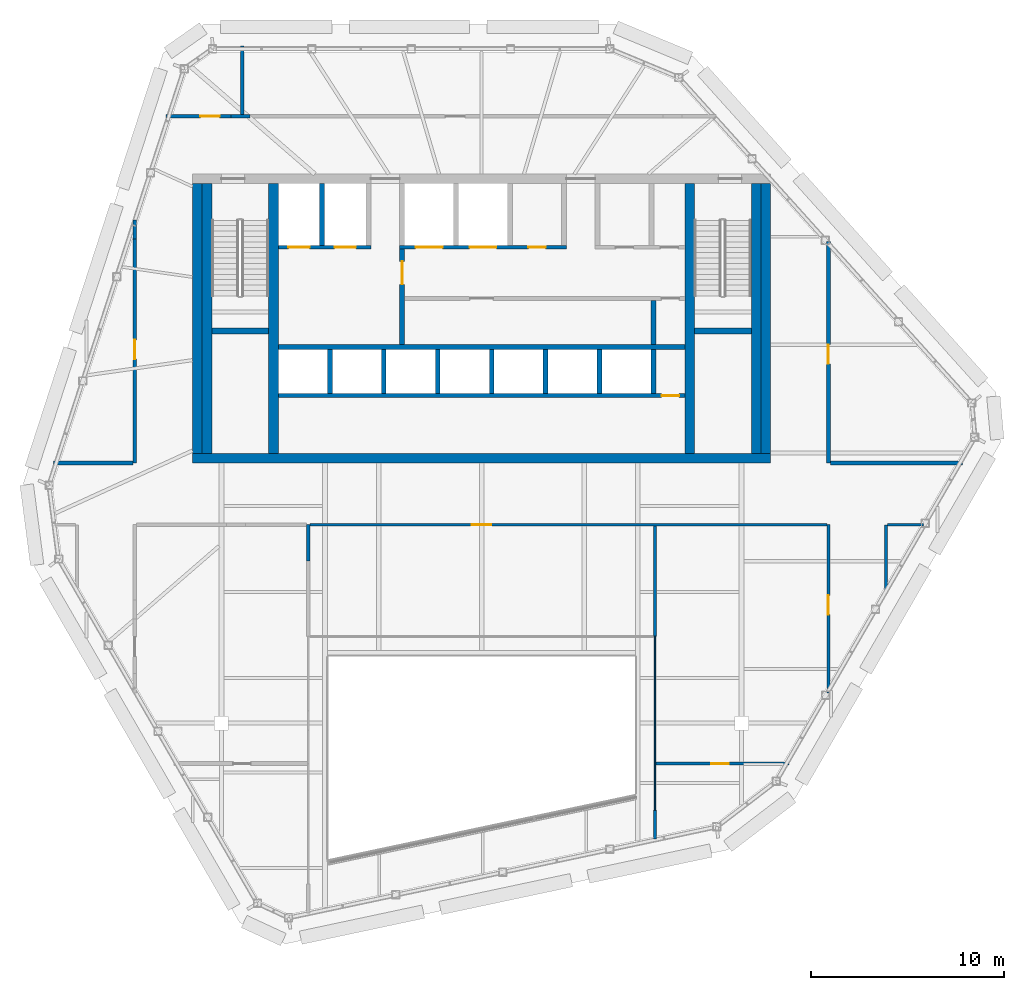
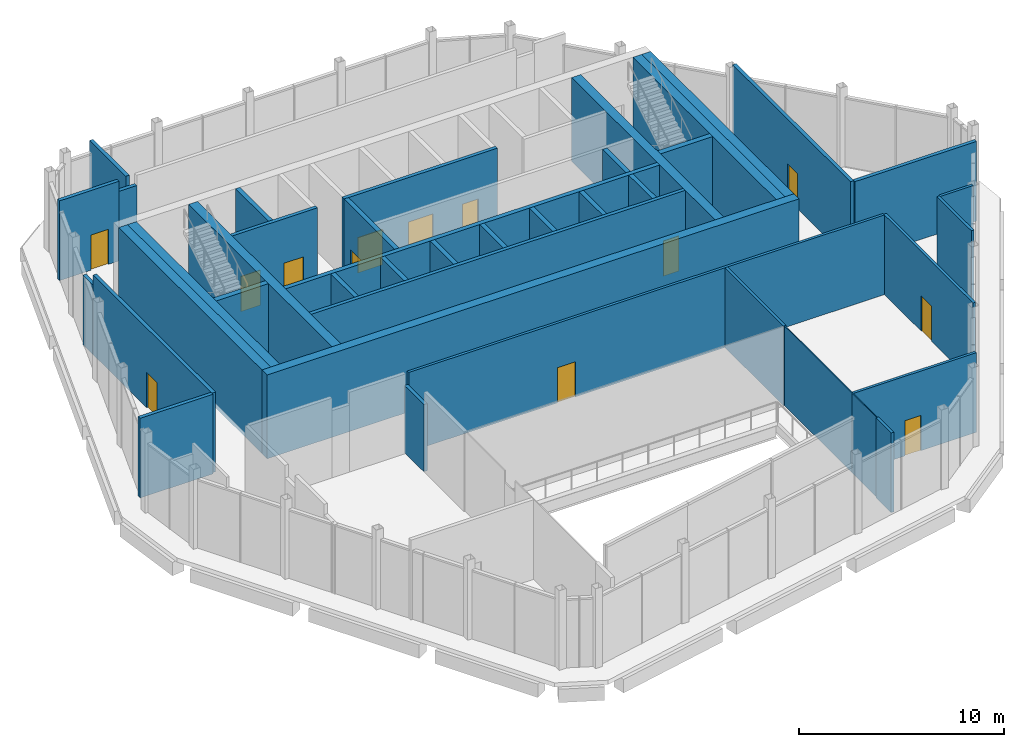
# One storey, part 9 of 12: 41 walls, 13 doors, 13 openings.
"""IFC4 building model written with IfcOpenShell, lengths in metres."""

from ifc_helpers import new_model, si_unit, direction, frame, frame_2d, origin, place, context, subcontext, project, spatial, rectangle, extrude, material, layer, layer_set, type_object, element, fill, save


model = new_model("IFC4")

# Units and contexts
model_context = context("Model", 3, precision=1e-05, world=origin(), true_north=direction((0.0, 1.0)))
body_context = subcontext(model_context, "Body", "Model", "MODEL_VIEW")
ifc_project = project(units=[si_unit("LENGTHUNIT", "METRE"), si_unit("AREAUNIT", "SQUARE_METRE"), si_unit("VOLUMEUNIT", "CUBIC_METRE"), si_unit("PLANEANGLEUNIT", "RADIAN"), si_unit("MASSUNIT", "GRAM", prefix="KILO")], contexts=[model_context])

# Site, building, storey
site_placement = place(None, origin())
site = spatial("IfcSite", under=ifc_project, at=site_placement, CompositionType="ELEMENT")
building_placement = place(site_placement, origin())
building = spatial("IfcBuilding", under=site, at=building_placement, Name="Isthmus Gate Tower", CompositionType="ELEMENT")
storey_placement = place(building_placement, frame((0.0, 0.0, 301.10009765625)))
storey = spatial("IfcBuildingStorey", under=building, at=storey_placement, Name="C1", CompositionType="ELEMENT", Elevation=301.10009765625)

# Wall, opening, door
ifc_material_1 = material(Name="Fire-rated blockwork masonry, 15 MPa", Category="masonry")
ifc_layer_1 = layer(ifc_material_1, 0.25)
ifc_layer_set_1 = layer_set([ifc_layer_1], Name="FIRE-FIGHTING LOBBY WALL 250 90 MIN")
wall_type_1 = type_object("IfcWallType", Name="FIRE-FIGHTING LOBBY WALL 250 90 MIN", PredefinedType="PARTITIONING", material=ifc_layer_set_1)
wall_1_placement = place(storey_placement, frame((-4.125, 6.14990234375, 0.0), z_axis=(0.0, 0.0, 1.0), x_axis=(0.0, 1.0, 0.0)))
wall_1 = element("IfcWall", 1, at=wall_1_placement, inside=storey, type_object=wall_type_1, Name="C1 FIRE-FIGHTING LOBBY WALL 250 90 MIN", PredefinedType="PARTITIONING", context=body_context, shape_type="SweptSolid", body=[
    extrude(rectangle(XDim=4.9501953125, YDim=0.25, at=frame_2d((2.47509765625, 0.0))), origin(), (0.0, 0.0, 1.0), 4.75),
])
opening_1_placement = place(wall_1_placement, frame((3.125, 0.0, 0.0)))
opening_1 = element("IfcOpeningElement", 2, at=opening_1_placement, cuts=wall_1, Name="Opening DC-A22-01", PredefinedType="OPENING", context=body_context, shape_type="SweptSolid", body=[
    extrude(rectangle(XDim=1.199951171875, YDim=2.10009765625, at=frame_2d((0.60009765625, 1.050048828125))), frame((0.0, 0.135009765625, 0.0), z_axis=(0.0, -1.0, 0.0), x_axis=(1.0, 0.0, 0.0)), (0.0, 0.0, 1.0), 0.27001953125),
])
ifc_material_2 = material(Name="Steel door leaf, fire-rated", Category="steel")
door_type_1 = type_object("IfcDoorType", Name="LOBBY FIRE DOOR 1200 X 2100 90 MIN", OperationType="DOUBLE_DOOR_SINGLE_SWING", PredefinedType="DOOR", material=ifc_material_2)
door_1_placement = place(opening_1_placement, origin())
door_1 = element("IfcDoor", 3, at=door_1_placement, inside=storey, type_object=door_type_1, Name="Fire-fighting Lobby Door", OperationType="SINGLE_SWING_LEFT", OverallHeight=2.10009765625, OverallWidth=1.199951171875, PredefinedType="DOOR", context=body_context, shape_type="SweptSolid", body=[
    extrude(rectangle(XDim=1.199951171875, YDim=2.10009765625, at=frame_2d((0.60009765625, 1.050048828125))), frame((0.0, 0.02490234375, 0.0), z_axis=(0.0, -1.0, 0.0), x_axis=(1.0, 0.0, 0.0)), (0.0, 0.0, 1.0), 0.050048828125),
])
fill(opening_1, door_1)

# Walls
ifc_material_3 = material(Name="Concrete f'c 30 MPa", Category="concrete")
ifc_layer_2 = layer(ifc_material_3, 0.199951171875)
ifc_layer_set_2 = layer_set([ifc_layer_2], Name="Fire-rated block wall 200")
wall_type_2 = type_object("IfcWallType", Name="Fire-rated block wall 200", PredefinedType="PARTITIONING", material=ifc_layer_set_2)
wall_2_placement = place(storey_placement, frame((-22.21630859375, 0.0, 0.0), z_axis=(0.0, 0.0, 1.0), x_axis=(1.0, 0.0, 0.0)))
element("IfcWall", 4, at=wall_2_placement, inside=storey, type_object=wall_type_2, Name="Fire-rated wall", PredefinedType="PARTITIONING", context=body_context, shape_type="SweptSolid", body=[
    extrude(rectangle(XDim=4.1162109375, YDim=0.199951171875, at=frame_2d((2.05810546875, 0.0))), origin(), (0.0, 0.0, 1.0), 4.75),
])
wall_3_placement = place(storey_placement, frame((18.10009765625, 0.0, 0.0), z_axis=(0.0, 0.0, 1.0), x_axis=(1.0, 0.0, 0.0)))
element("IfcWall", 5, at=wall_3_placement, inside=storey, type_object=wall_type_2, Name="Fire-rated wall", PredefinedType="PARTITIONING", context=body_context, shape_type="SweptSolid", body=[
    extrude(rectangle(XDim=6.861328125, YDim=0.199951171875, at=frame_2d((3.4306640625, 0.0))), origin(), (0.0, 0.0, 1.0), 4.75),
])

# Wall, opening, door
wall_4_placement = place(storey_placement, frame((-16.367919921875, 18.0, 0.0), z_axis=(0.0, 0.0, 1.0), x_axis=(1.0, 0.0, 0.0)))
wall_4 = element("IfcWall", 6, at=wall_4_placement, inside=storey, type_object=wall_type_2, Name="Fire-rated wall", PredefinedType="PARTITIONING", context=body_context, shape_type="SweptSolid", body=[
    extrude(rectangle(XDim=3.3544921875, YDim=0.199951171875, at=frame_2d((1.67724609375, 0.0))), origin(), (0.0, 0.0, 1.0), 4.75),
])
opening_2_placement = place(wall_4_placement, frame((1.767822265625, 0.0, 0.0)))
opening_2 = element("IfcOpeningElement", 7, at=opening_2_placement, cuts=wall_4, Name="Opening DP77-01", PredefinedType="OPENING", context=body_context, shape_type="SweptSolid", body=[
    extrude(rectangle(XDim=1.0, YDim=2.10009765625, at=frame_2d((0.5, 1.050048828125))), frame((0.0, 0.10986328125, 0.0), z_axis=(0.0, -1.0, 0.0), x_axis=(1.0, 0.0, 0.0)), (0.0, 0.0, 1.0), 0.219970703125),
])
ifc_material_4 = material(Name="Steel fire door with intumescent seals", Category="steel")
door_type_2 = type_object("IfcDoorType", Name="Fire door 1000 x 2100", OperationType="SINGLE_SWING_LEFT", PredefinedType="DOOR", material=ifc_material_4)
door_2_placement = place(opening_2_placement, origin())
door_2 = element("IfcDoor", 8, at=door_2_placement, inside=storey, type_object=door_type_2, Name="Door DP77-01", OperationType="SINGLE_SWING_LEFT", OverallHeight=2.10009765625, OverallWidth=1.0, PredefinedType="DOOR", context=body_context, shape_type="SweptSolid", body=[
    extrude(rectangle(XDim=1.0, YDim=2.10009765625, at=frame_2d((0.5, 1.050048828125))), frame((0.0, 0.02490234375, 0.0), z_axis=(0.0, -1.0, 0.0), x_axis=(1.0, 0.0, 0.0)), (0.0, 0.0, 1.0), 0.050048828125),
])
fill(opening_2, door_2)

# Wall
wall_5_placement = place(storey_placement, frame((-13.013427734375, 18.0, 0.0), z_axis=(0.0, 0.0, 1.0), x_axis=(1.0, 0.0, 0.0)))
element("IfcWall", 9, at=wall_5_placement, inside=storey, type_object=wall_type_2, Name="Fire-rated wall", PredefinedType="PARTITIONING", context=body_context, shape_type="SweptSolid", body=[
    extrude(rectangle(XDim=1.0, YDim=0.199951171875, at=frame_2d((0.5, 0.0))), origin(), (0.0, 0.0, 1.0), 4.14990234375),
])

# Wall, opening, door
wall_6_placement = place(storey_placement, frame((-18.0, 0.0, 0.0), z_axis=(0.0, 0.0, 1.0), x_axis=(0.0, 1.0, 0.0)))
wall_6 = element("IfcWall", 10, at=wall_6_placement, inside=storey, type_object=wall_type_2, Name="Fire-rated wall", PredefinedType="PARTITIONING", context=body_context, shape_type="SweptSolid", body=[
    extrude(rectangle(XDim=11.62353515625, YDim=0.199951171875, at=frame_2d((5.811767578125, 0.0))), origin(), (0.0, 0.0, 1.0), 4.75),
])
opening_3_placement = place(wall_6_placement, frame((5.39990234375, 0.0, 0.0)))
opening_3 = element("IfcOpeningElement", 11, at=opening_3_placement, cuts=wall_6, Name="Opening DP77-03", PredefinedType="OPENING", context=body_context, shape_type="SweptSolid", body=[
    extrude(rectangle(XDim=1.0, YDim=2.10009765625, at=frame_2d((0.5, 1.050048828125))), frame((0.0, 0.10986328125, 0.0), z_axis=(0.0, -1.0, 0.0), x_axis=(1.0, 0.0, 0.0)), (0.0, 0.0, 1.0), 0.219970703125),
])
door_3_placement = place(opening_3_placement, origin())
door_3 = element("IfcDoor", 12, at=door_3_placement, inside=storey, type_object=door_type_2, Name="Door DP77-03", OperationType="SINGLE_SWING_LEFT", OverallHeight=2.10009765625, OverallWidth=1.0, PredefinedType="DOOR", context=body_context, shape_type="SweptSolid", body=[
    extrude(rectangle(XDim=1.0, YDim=2.10009765625, at=frame_2d((0.5, 1.050048828125))), frame((0.0, 0.02490234375, 0.0), z_axis=(0.0, -1.0, 0.0), x_axis=(1.0, 0.0, 0.0)), (0.0, 0.0, 1.0), 0.050048828125),
])
fill(opening_3, door_3)

# Walls
wall_7_placement = place(storey_placement, frame((-18.0, 11.62353515625, 0.0), z_axis=(0.0, 0.0, 1.0), x_axis=(0.0, 1.0, 0.0)))
element("IfcWall", 13, at=wall_7_placement, inside=storey, type_object=wall_type_2, Name="Fire-rated wall", PredefinedType="PARTITIONING", context=body_context, shape_type="SweptSolid", body=[
    extrude(rectangle(XDim=1.0, YDim=0.199951171875, at=frame_2d((0.5, 0.0))), origin(), (0.0, 0.0, 1.0), 4.134033203125),
])
wall_8_placement = place(storey_placement, frame((-12.4189453125, 18.10009765625, 0.0), z_axis=(0.0, 0.0, 1.0), x_axis=(0.0, 1.0, 0.0)))
element("IfcWall", 14, at=wall_8_placement, inside=storey, type_object=wall_type_2, Name="Fire-rated wall", PredefinedType="PARTITIONING", context=body_context, shape_type="SweptSolid", body=[
    extrude(rectangle(XDim=3.539794921875, YDim=0.199951171875, at=frame_2d((1.77001953125, 0.0))), origin(), (0.0, 0.0, 1.0), 4.75),
])
wall_9_placement = place(storey_placement, frame((-9.0, -5.089111328125, 0.0), z_axis=(0.0, 0.0, 1.0), x_axis=(0.0, 1.0, 0.0)))
element("IfcWall", 15, at=wall_9_placement, inside=storey, type_object=wall_type_2, Name="Fire-rated wall", PredefinedType="PARTITIONING", context=body_context, shape_type="SweptSolid", body=[
    extrude(rectangle(XDim=1.88916015625, YDim=0.199951171875, at=frame_2d((0.944580078125, 0.0))), origin(), (0.0, 0.0, 1.0), 4.00048828125),
])

# Wall, opening, door
wall_10_placement = place(storey_placement, frame((18.0, 0.0, 0.0), z_axis=(0.0, 0.0, 1.0), x_axis=(0.0, 1.0, 0.0)))
wall_10 = element("IfcWall", 16, at=wall_10_placement, inside=storey, type_object=wall_type_2, Name="Fire-rated wall", PredefinedType="PARTITIONING", context=body_context, shape_type="SweptSolid", body=[
    extrude(rectangle(XDim=11.514404296875, YDim=0.199951171875, at=frame_2d((5.75732421875, 0.0))), origin(), (0.0, 0.0, 1.0), 4.75),
])
opening_4_placement = place(wall_10_placement, frame((5.14990234375, 0.0, 0.0)))
opening_4 = element("IfcOpeningElement", 17, at=opening_4_placement, cuts=wall_10, Name="Opening DP77-04", PredefinedType="OPENING", context=body_context, shape_type="SweptSolid", body=[
    extrude(rectangle(XDim=1.0, YDim=2.10009765625, at=frame_2d((0.5, 1.050048828125))), frame((0.0, 0.10986328125, 0.0), z_axis=(0.0, -1.0, 0.0), x_axis=(1.0, 0.0, 0.0)), (0.0, 0.0, 1.0), 0.219970703125),
])
door_4_placement = place(opening_4_placement, origin())
door_4 = element("IfcDoor", 18, at=door_4_placement, inside=storey, type_object=door_type_2, Name="Door DP77-04", OperationType="SINGLE_SWING_LEFT", OverallHeight=2.10009765625, OverallWidth=1.0, PredefinedType="DOOR", context=body_context, shape_type="SweptSolid", body=[
    extrude(rectangle(XDim=1.0, YDim=2.10009765625, at=frame_2d((0.5, 1.050048828125))), frame((0.0, 0.02490234375, 0.0), z_axis=(0.0, -1.0, 0.0), x_axis=(1.0, 0.0, 0.0)), (0.0, 0.0, 1.0), 0.050048828125),
])
fill(opening_4, door_4)

# Walls
ifc_material_5 = material(Name="Fire-rated laminated glass in steel frame", Category="steel")
ifc_layer_3 = layer(ifc_material_5, 0.06005859375)
ifc_layer_set_3 = layer_set([ifc_layer_3], Name="Fire-rated glazed atrium screen 60")
wall_type_3 = type_object("IfcWallType", Name="Fire-rated glazed atrium screen 60", PredefinedType="PARTITIONING", material=ifc_layer_set_3)
wall_11_placement = place(storey_placement, frame((9.0, -18.02001953125, 0.0), z_axis=(0.0, 0.0, 1.0), x_axis=(0.0, 1.0, 0.0)))
element("IfcWall", 19, at=wall_11_placement, inside=storey, type_object=wall_type_3, Name="Atrium screen", PredefinedType="PARTITIONING", context=body_context, shape_type="SweptSolid", body=[
    extrude(rectangle(XDim=2.4189453125, YDim=0.06005859375, at=frame_2d((1.20947265625, 0.0))), origin(), (0.0, 0.0, 1.0), 4.75),
])
wall_12_placement = place(storey_placement, frame((9.0, -15.59912109375, 0.0), z_axis=(0.0, 0.0, 1.0), x_axis=(0.0, 1.0, 0.0)))
element("IfcWall", 20, at=wall_12_placement, inside=storey, type_object=wall_type_3, Name="Atrium screen", PredefinedType="PARTITIONING", context=body_context, shape_type="SweptSolid", body=[
    extrude(rectangle(XDim=6.59814453125, YDim=0.06005859375, at=frame_2d((3.299072265625, 0.0))), origin(), (0.0, 0.0, 1.0), 4.75),
])

# Wall, opening, door
ifc_material_6 = material(Name="Gypsum board on cold-formed steel studs", Category="steel")
ifc_layer_4 = layer(ifc_material_6, 0.14990234375)
ifc_layer_set_4 = layer_set([ifc_layer_4])
wall_type_4 = type_object("IfcWallType", Name="Partition 150 gypsum board on steel studs", PredefinedType="PARTITIONING", material=ifc_layer_set_4)
wall_13_placement = place(storey_placement, frame((9.030029296875, -15.60009765625, 0.0), z_axis=(0.0, 0.0, 1.0), x_axis=(1.0, 0.0, 0.0)))
wall_13 = element("IfcWall", 21, at=wall_13_placement, inside=storey, type_object=wall_type_4, Name="Partition", PredefinedType="PARTITIONING", context=body_context, shape_type="SweptSolid", body=[
    extrude(rectangle(XDim=6.9248046875, YDim=0.14990234375, at=frame_2d((3.46240234375, 0.0))), origin(), (0.0, 0.0, 1.0), 4.75),
])
opening_5_placement = place(wall_13_placement, frame((2.89990234375, 0.0, 0.0)))
opening_5 = element("IfcOpeningElement", 22, at=opening_5_placement, cuts=wall_13, Name="Opening DP77-09", PredefinedType="OPENING", context=body_context, shape_type="SweptSolid", body=[
    extrude(rectangle(XDim=0.89990234375, YDim=2.10009765625, at=frame_2d((0.449951171875, 1.050048828125))), frame((0.0, 0.0849609375, 0.0), z_axis=(0.0, -1.0, 0.0), x_axis=(1.0, 0.0, 0.0)), (0.0, 0.0, 1.0), 0.169921875),
])
ifc_material_7 = material(Name="Hollow metal frame with solid-core timber leaf", Category="wood")
door_type_3 = type_object("IfcDoorType", Name="Single swing door 900 x 2100", OperationType="SINGLE_SWING_LEFT", PredefinedType="DOOR", material=ifc_material_7)
door_5_placement = place(opening_5_placement, origin())
door_5 = element("IfcDoor", 23, at=door_5_placement, inside=storey, type_object=door_type_3, Name="Door DP77-09", OperationType="SINGLE_SWING_LEFT", OverallHeight=2.10009765625, OverallWidth=0.89990234375, PredefinedType="DOOR", context=body_context, shape_type="SweptSolid", body=[
    extrude(rectangle(XDim=0.89990234375, YDim=2.10009765625, at=frame_2d((0.449951171875, 1.050048828125))), frame((0.0, 0.02490234375, 0.0), z_axis=(0.0, -1.0, 0.0), x_axis=(1.0, 0.0, 0.0)), (0.0, 0.0, 1.0), 0.050048828125),
])
fill(opening_5, door_5)

wall_14_placement = place(storey_placement, frame((-8.89990234375, -3.199951171875, 0.0), z_axis=(0.0, 0.0, 1.0), x_axis=(1.0, 0.0, 0.0)))
wall_14 = element("IfcWall", 24, at=wall_14_placement, inside=storey, type_object=wall_type_4, Name="Partition", PredefinedType="PARTITIONING", context=body_context, shape_type="SweptSolid", body=[
    extrude(rectangle(XDim=26.824951171875, YDim=0.14990234375, at=frame_2d((13.41259765625, 0.0))), origin(), (0.0, 0.0, 1.0), 4.75),
])
opening_6_placement = place(wall_14_placement, frame((8.39990234375, 0.0, 0.0)))
opening_6 = element("IfcOpeningElement", 25, at=opening_6_placement, cuts=wall_14, Name="Opening DP77-05", PredefinedType="OPENING", context=body_context, shape_type="SweptSolid", body=[
    extrude(rectangle(XDim=1.0, YDim=2.10009765625, at=frame_2d((0.5, 1.050048828125))), frame((0.0, 0.0849609375, 0.0), z_axis=(0.0, -1.0, 0.0), x_axis=(1.0, 0.0, 0.0)), (0.0, 0.0, 1.0), 0.169921875),
])
ifc_material_8 = material(Name="Hollow metal frame with solid-core timber leaf", Category="wood")
door_type_4 = type_object("IfcDoorType", Name="Single swing door 1000 x 2100", OperationType="SINGLE_SWING_LEFT", PredefinedType="DOOR", material=ifc_material_8)
door_6_placement = place(opening_6_placement, origin())
door_6 = element("IfcDoor", 26, at=door_6_placement, inside=storey, type_object=door_type_4, Name="Door DP77-05", OperationType="SINGLE_SWING_LEFT", OverallHeight=2.10009765625, OverallWidth=1.0, PredefinedType="DOOR", context=body_context, shape_type="SweptSolid", body=[
    extrude(rectangle(XDim=1.0, YDim=2.10009765625, at=frame_2d((0.5, 1.050048828125))), frame((0.0, 0.02490234375, 0.0), z_axis=(0.0, -1.0, 0.0), x_axis=(1.0, 0.0, 0.0)), (0.0, 0.0, 1.0), 0.050048828125),
])
fill(opening_6, door_6)

# Walls
wall_15_placement = place(storey_placement, frame((21.074951171875, -3.199951171875, 0.0), z_axis=(0.0, 0.0, 1.0), x_axis=(1.0, 0.0, 0.0)))
element("IfcWall", 27, at=wall_15_placement, inside=storey, type_object=wall_type_4, Name="Partition", PredefinedType="PARTITIONING", context=body_context, shape_type="SweptSolid", body=[
    extrude(rectangle(XDim=1.868896484375, YDim=0.14990234375, at=frame_2d((0.9345703125, 0.0))), origin(), (0.0, 0.0, 1.0), 4.75),
])
wall_16_placement = place(storey_placement, frame((9.0, -19.522705078125, 0.0), z_axis=(0.0, 0.0, 1.0), x_axis=(0.0, 1.0, 0.0)))
element("IfcWall", 28, at=wall_16_placement, inside=storey, type_object=wall_type_4, Name="Partition", PredefinedType="PARTITIONING", context=body_context, shape_type="SweptSolid", body=[
    extrude(rectangle(XDim=1.502685546875, YDim=0.14990234375, at=frame_2d((0.75146484375, 0.0))), origin(), (0.0, 0.0, 1.0), 4.75),
])
wall_17_placement = place(storey_placement, frame((9.0, -9.0, 0.0), z_axis=(0.0, 0.0, 1.0), x_axis=(0.0, 1.0, 0.0)))
element("IfcWall", 29, at=wall_17_placement, inside=storey, type_object=wall_type_4, Name="Partition", PredefinedType="PARTITIONING", context=body_context, shape_type="SweptSolid", body=[
    extrude(rectangle(XDim=5.72509765625, YDim=0.14990234375, at=frame_2d((2.862548828125, 0.0))), origin(), (0.0, 0.0, 1.0), 4.75),
])

# Wall, opening, door
wall_18_placement = place(storey_placement, frame((18.0, -11.93310546875, 0.0), z_axis=(0.0, 0.0, 1.0), x_axis=(0.0, 1.0, 0.0)))
wall_18 = element("IfcWall", 30, at=wall_18_placement, inside=storey, type_object=wall_type_4, Name="Partition", PredefinedType="PARTITIONING", context=body_context, shape_type="SweptSolid", body=[
    extrude(rectangle(XDim=8.733154296875, YDim=0.14990234375, at=frame_2d((4.36669921875, 0.0))), origin(), (0.0, 0.0, 1.0), 4.75),
])
opening_7_placement = place(wall_18_placement, frame((4.070068359375, 0.0, 0.0)))
opening_7 = element("IfcOpeningElement", 31, at=opening_7_placement, cuts=wall_18, Name="Opening DP77-07", PredefinedType="OPENING", context=body_context, shape_type="SweptSolid", body=[
    extrude(rectangle(XDim=1.0, YDim=2.10009765625, at=frame_2d((0.5, 1.050048828125))), frame((0.0, 0.0849609375, 0.0), z_axis=(0.0, -1.0, 0.0), x_axis=(1.0, 0.0, 0.0)), (0.0, 0.0, 1.0), 0.169921875),
])
door_7_placement = place(opening_7_placement, origin())
door_7 = element("IfcDoor", 32, at=door_7_placement, inside=storey, type_object=door_type_4, Name="Door DP77-07", OperationType="SINGLE_SWING_LEFT", OverallHeight=2.10009765625, OverallWidth=1.0, PredefinedType="DOOR", context=body_context, shape_type="SweptSolid", body=[
    extrude(rectangle(XDim=1.0, YDim=2.10009765625, at=frame_2d((0.5, 1.050048828125))), frame((0.0, 0.02490234375, 0.0), z_axis=(0.0, -1.0, 0.0), x_axis=(1.0, 0.0, 0.0)), (0.0, 0.0, 1.0), 0.050048828125),
])
fill(opening_7, door_7)

# Walls
wall_19_placement = place(storey_placement, frame((21.0, -6.56689453125, 0.0), z_axis=(0.0, 0.0, 1.0), x_axis=(0.0, 1.0, 0.0)))
element("IfcWall", 33, at=wall_19_placement, inside=storey, type_object=wall_type_4, Name="Partition", PredefinedType="PARTITIONING", context=body_context, shape_type="SweptSolid", body=[
    extrude(rectangle(XDim=3.365966796875, YDim=0.14990234375, at=frame_2d((1.68310546875, 0.0))), origin(), (0.0, 0.0, 1.0), 4.75),
])
ifc_material_9 = material(Name="Concrete f'c 50 MPa", Category="concrete")
ifc_layer_5 = layer(ifc_material_9, 0.5)
ifc_layer_set_5 = layer_set([ifc_layer_5], Name="RC CORE SPINE WALL 500 F'C 50")
wall_type_5 = type_object("IfcWallType", Name="RC CORE SPINE WALL 500 F'C 50", PredefinedType="SOLIDWALL", material=ifc_layer_set_5)
for number, where, z_axis, x_axis, name in (
    (34, (-10.800048828125, 0.5, -0.25), (0.0, 0.0, 1.0), (0.0, 1.0, 0.0), "str-corewall-C1-SPW"),
    (35, (10.800048828125, 0.5, -0.25), (0.0, 0.0, 1.0), (0.0, 1.0, 0.0), "str-corewall-C1-SPE"),
):
    element("IfcWall", number, at=place(storey_placement, frame(where, z_axis=z_axis, x_axis=x_axis)), inside=storey, type_object=wall_type_5, Name=name, PredefinedType="SOLIDWALL", context=body_context, shape_type="SweptSolid", body=[
        extrude(rectangle(XDim=14.0, YDim=0.5, at=frame_2d((7.0, 0.0))), origin(), (0.0, 0.0, 1.0), 5.0),
    ])
ifc_material_10 = material(Name="Concrete f'c 50 MPa", Category="concrete")
ifc_layer_6 = layer(ifc_material_10, 0.5)
ifc_layer_set_6 = layer_set([ifc_layer_6], Name="RC CORE WALL 500 F'C 50")
wall_type_6 = type_object("IfcWallType", Name="RC CORE WALL 500 F'C 50", PredefinedType="SOLIDWALL", material=ifc_layer_set_6)
wall_20_placement = place(storey_placement, frame((-15.0, 0.25, -0.25), z_axis=(0.0, 0.0, 1.0), x_axis=(1.0, 0.0, 0.0)))
element("IfcWall", 36, at=wall_20_placement, inside=storey, type_object=wall_type_6, Name="str-corewall-C1-S", PredefinedType="SOLIDWALL", context=body_context, shape_type="SweptSolid", body=[
    extrude(rectangle(XDim=30.0, YDim=0.5, at=frame_2d((15.0, 0.0))), origin(), (0.0, 0.0, 1.0), 5.0),
])
for number, where, z_axis, x_axis, name in (
    (37, (-14.75, 0.5, -0.25), (0.0, 0.0, 1.0), (0.0, 1.0, 0.0), "str-corewall-C1-W"),
    (38, (14.75, 0.5, -0.25), (0.0, 0.0, 1.0), (0.0, 1.0, 0.0), "str-corewall-C1-E"),
):
    element("IfcWall", number, at=place(storey_placement, frame(where, z_axis=z_axis, x_axis=x_axis)), inside=storey, type_object=wall_type_6, Name=name, PredefinedType="SOLIDWALL", context=body_context, shape_type="SweptSolid", body=[
        extrude(rectangle(XDim=14.0, YDim=0.5, at=frame_2d((7.0, 0.0))), origin(), (0.0, 0.0, 1.0), 5.0),
    ])

# Wall, opening, door
ifc_material_11 = material(Name="Fire-rated blockwork masonry, 15 MPa", Category="masonry")
ifc_layer_7 = layer(ifc_material_11, 0.199951171875)
ifc_layer_set_7 = layer_set([ifc_layer_7], Name="SHAFT FRONT WALL 200 120 MIN")
wall_type_7 = type_object("IfcWallType", Name="SHAFT FRONT WALL 200 120 MIN", PredefinedType="PARTITIONING", material=ifc_layer_set_7)
wall_21_placement = place(storey_placement, frame((-10.550048828125, 3.5, 0.0), z_axis=(0.0, 0.0, 1.0), x_axis=(1.0, 0.0, 0.0)))
wall_21 = element("IfcWall", 39, at=wall_21_placement, inside=storey, type_object=wall_type_7, Name="C1 SHAFT FRONT WALL 200 120 MIN", PredefinedType="PARTITIONING", context=body_context, shape_type="SweptSolid", body=[
    extrude(rectangle(XDim=21.10009765625, YDim=0.199951171875, at=frame_2d((10.550048828125, 0.0))), origin(), (0.0, 0.0, 1.0), 4.75),
])
opening_8_placement = place(wall_21_placement, frame((19.89990234375, 0.0, 0.0)))
opening_8 = element("IfcOpeningElement", 40, at=opening_8_placement, cuts=wall_21, Name="Opening DC-A22-02", PredefinedType="OPENING", context=body_context, shape_type="SweptSolid", body=[
    extrude(rectangle(XDim=0.89990234375, YDim=2.10009765625, at=frame_2d((0.449951171875, 1.050048828125))), frame((0.0, 0.10986328125, 0.0), z_axis=(0.0, -1.0, 0.0), x_axis=(1.0, 0.0, 0.0)), (0.0, 0.0, 1.0), 0.219970703125),
])
ifc_material_12 = material(Name="Steel door leaf, fire-rated", Category="steel")
door_type_5 = type_object("IfcDoorType", Name="RISER FIRE DOOR 900 X 2100 90 MIN", OperationType="SINGLE_SWING_LEFT", PredefinedType="DOOR", material=ifc_material_12)
door_8_placement = place(opening_8_placement, origin())
door_8 = element("IfcDoor", 41, at=door_8_placement, inside=storey, type_object=door_type_5, Name="Riser Door", OperationType="SINGLE_SWING_RIGHT", OverallHeight=2.10009765625, OverallWidth=0.89990234375, PredefinedType="DOOR", context=body_context, shape_type="SweptSolid", body=[
    extrude(rectangle(XDim=0.89990234375, YDim=2.10009765625, at=frame_2d((0.449951171875, 1.050048828125))), frame((0.0, 0.02490234375, 0.0), z_axis=(0.0, -1.0, 0.0), x_axis=(1.0, 0.0, 0.0)), (0.0, 0.0, 1.0), 0.050048828125),
])
fill(opening_8, door_8)

# Wall, openings, doors
wall_22_placement = place(storey_placement, frame((-10.550048828125, 11.199951171875, 0.0), z_axis=(0.0, 0.0, 1.0), x_axis=(1.0, 0.0, 0.0)))
wall_22 = element("IfcWall", 42, at=wall_22_placement, inside=storey, type_object=wall_type_7, Name="C1 SHAFT FRONT WALL 200 120 MIN", PredefinedType="PARTITIONING", context=body_context, shape_type="SweptSolid", body=[
    extrude(rectangle(XDim=4.800048828125, YDim=0.199951171875, at=frame_2d((2.39990234375, 0.0))), origin(), (0.0, 0.0, 1.0), 4.75),
])
opening_9_placement = place(wall_22_placement, frame((0.52490234375, 0.0, 0.0)))
opening_9 = element("IfcOpeningElement", 43, at=opening_9_placement, cuts=wall_22, Name="Opening LD-LF1", PredefinedType="OPENING", context=body_context, shape_type="SweptSolid", body=[
    extrude(rectangle(XDim=1.10009765625, YDim=2.10009765625, at=frame_2d((0.550048828125, 1.050048828125))), frame((0.0, 0.10986328125, 0.0), z_axis=(0.0, -1.0, 0.0), x_axis=(1.0, 0.0, 0.0)), (0.0, 0.0, 1.0), 0.219970703125),
])
opening_10_placement = place(wall_22_placement, frame((2.925048828125, 0.0, 0.0)))
opening_10 = element("IfcOpeningElement", 44, at=opening_10_placement, cuts=wall_22, Name="Opening LD-LF2", PredefinedType="OPENING", context=body_context, shape_type="SweptSolid", body=[
    extrude(rectangle(XDim=1.10009765625, YDim=2.10009765625, at=frame_2d((0.550048828125, 1.050048828125))), frame((0.0, 0.10986328125, 0.0), z_axis=(0.0, -1.0, 0.0), x_axis=(1.0, 0.0, 0.0)), (0.0, 0.0, 1.0), 0.219970703125),
])
ifc_material_13 = material(Name="Stainless steel sliding leaf", Category="steel")
door_type_6 = type_object("IfcDoorType", Name="LIFT LANDING FIRE DOOR 1100 X 2100 90 MIN", OperationType="DOUBLE_DOOR_SLIDING", PredefinedType="DOOR", material=ifc_material_13)
door_9_placement = place(opening_9_placement, origin())
door_9 = element("IfcDoor", 45, at=door_9_placement, inside=storey, type_object=door_type_6, Name="Lift Landing Door LF1", OperationType="DOUBLE_DOOR_SLIDING", OverallHeight=2.10009765625, OverallWidth=1.10009765625, PredefinedType="DOOR", context=body_context, shape_type="SweptSolid", body=[
    extrude(rectangle(XDim=1.10009765625, YDim=2.10009765625, at=frame_2d((0.550048828125, 1.050048828125))), frame((0.0, 0.02490234375, 0.0), z_axis=(0.0, -1.0, 0.0), x_axis=(1.0, 0.0, 0.0)), (0.0, 0.0, 1.0), 0.050048828125),
])
fill(opening_9, door_9)
door_10_placement = place(opening_10_placement, origin())
door_10 = element("IfcDoor", 46, at=door_10_placement, inside=storey, type_object=door_type_6, Name="Lift Landing Door LF2", OperationType="DOUBLE_DOOR_SLIDING", OverallHeight=2.10009765625, OverallWidth=1.10009765625, PredefinedType="DOOR", context=body_context, shape_type="SweptSolid", body=[
    extrude(rectangle(XDim=1.10009765625, YDim=2.10009765625, at=frame_2d((0.550048828125, 1.050048828125))), frame((0.0, 0.02490234375, 0.0), z_axis=(0.0, -1.0, 0.0), x_axis=(1.0, 0.0, 0.0)), (0.0, 0.0, 1.0), 0.050048828125),
])
fill(opening_10, door_10)

wall_23_placement = place(storey_placement, frame((-4.25, 11.199951171875, 0.0), z_axis=(0.0, 0.0, 1.0), x_axis=(1.0, 0.0, 0.0)))
wall_23 = element("IfcWall", 47, at=wall_23_placement, inside=storey, type_object=wall_type_7, Name="C1 SHAFT FRONT WALL 200 120 MIN", PredefinedType="PARTITIONING", context=body_context, shape_type="SweptSolid", body=[
    extrude(rectangle(XDim=8.64990234375, YDim=0.199951171875, at=frame_2d((4.324951171875, 0.0))), origin(), (0.0, 0.0, 1.0), 4.75),
])
opening_11_placement = place(wall_23_placement, frame((0.824951171875, 0.0, 0.0)))
opening_11 = element("IfcOpeningElement", 48, at=opening_11_placement, cuts=wall_23, Name="Opening LD-LV1", PredefinedType="OPENING", context=body_context, shape_type="SweptSolid", body=[
    extrude(rectangle(XDim=1.39990234375, YDim=2.10009765625, at=frame_2d((0.699951171875, 1.050048828125))), frame((0.0, 0.10986328125, 0.0), z_axis=(0.0, -1.0, 0.0), x_axis=(1.0, 0.0, 0.0)), (0.0, 0.0, 1.0), 0.219970703125),
])
opening_12_placement = place(wall_23_placement, frame((3.625, 0.0, 0.0)))
opening_12 = element("IfcOpeningElement", 49, at=opening_12_placement, cuts=wall_23, Name="Opening LD-LV2", PredefinedType="OPENING", context=body_context, shape_type="SweptSolid", body=[
    extrude(rectangle(XDim=1.39990234375, YDim=2.10009765625, at=frame_2d((0.699951171875, 1.050048828125))), frame((0.0, 0.10986328125, 0.0), z_axis=(0.0, -1.0, 0.0), x_axis=(1.0, 0.0, 0.0)), (0.0, 0.0, 1.0), 0.219970703125),
])
opening_13_placement = place(wall_23_placement, frame((6.675048828125, 0.0, 0.0)))
opening_13 = element("IfcOpeningElement", 50, at=opening_13_placement, cuts=wall_23, Name="Opening DC-A22-05", PredefinedType="OPENING", context=body_context, shape_type="SweptSolid", body=[
    extrude(rectangle(XDim=0.89990234375, YDim=2.10009765625, at=frame_2d((0.449951171875, 1.050048828125))), frame((0.0, 0.10986328125, 0.0), z_axis=(0.0, -1.0, 0.0), x_axis=(1.0, 0.0, 0.0)), (0.0, 0.0, 1.0), 0.219970703125),
])
ifc_material_14 = material(Name="Steel door leaf, fire-rated", Category="steel")
door_type_7 = type_object("IfcDoorType", Name="FIRE DOOR 900 X 2100 60 MIN", OperationType="SINGLE_SWING_LEFT", PredefinedType="DOOR", material=ifc_material_14)
door_11_placement = place(opening_13_placement, origin())
door_11 = element("IfcDoor", 51, at=door_11_placement, inside=storey, type_object=door_type_7, Name="Valve Room Door", OperationType="SINGLE_SWING_LEFT", OverallHeight=2.10009765625, OverallWidth=0.89990234375, PredefinedType="DOOR", context=body_context, shape_type="SweptSolid", body=[
    extrude(rectangle(XDim=0.89990234375, YDim=2.10009765625, at=frame_2d((0.449951171875, 1.050048828125))), frame((0.0, 0.02490234375, 0.0), z_axis=(0.0, -1.0, 0.0), x_axis=(1.0, 0.0, 0.0)), (0.0, 0.0, 1.0), 0.050048828125),
])
fill(opening_13, door_11)
ifc_material_15 = material(Name="Stainless steel sliding leaf", Category="steel")
door_type_8 = type_object("IfcDoorType", Name="LIFT LANDING FIRE DOOR 1400 X 2100 90 MIN", OperationType="DOUBLE_DOOR_SLIDING", PredefinedType="DOOR", material=ifc_material_15)
door_12_placement = place(opening_11_placement, origin())
door_12 = element("IfcDoor", 52, at=door_12_placement, inside=storey, type_object=door_type_8, Name="Lift Landing Door LV1", OperationType="DOUBLE_DOOR_SLIDING", OverallHeight=2.10009765625, OverallWidth=1.39990234375, PredefinedType="DOOR", context=body_context, shape_type="SweptSolid", body=[
    extrude(rectangle(XDim=1.39990234375, YDim=2.10009765625, at=frame_2d((0.699951171875, 1.050048828125))), frame((0.0, 0.02490234375, 0.0), z_axis=(0.0, -1.0, 0.0), x_axis=(1.0, 0.0, 0.0)), (0.0, 0.0, 1.0), 0.050048828125),
])
fill(opening_11, door_12)
door_13_placement = place(opening_12_placement, origin())
door_13 = element("IfcDoor", 53, at=door_13_placement, inside=storey, type_object=door_type_8, Name="Lift Landing Door LV2", OperationType="DOUBLE_DOOR_SLIDING", OverallHeight=2.10009765625, OverallWidth=1.39990234375, PredefinedType="DOOR", context=body_context, shape_type="SweptSolid", body=[
    extrude(rectangle(XDim=1.39990234375, YDim=2.10009765625, at=frame_2d((0.699951171875, 1.050048828125))), frame((0.0, 0.02490234375, 0.0), z_axis=(0.0, -1.0, 0.0), x_axis=(1.0, 0.0, 0.0)), (0.0, 0.0, 1.0), 0.050048828125),
])
fill(opening_12, door_13)

# Walls
ifc_material_16 = material(Name="Fire-rated blockwork masonry, 15 MPa", Category="masonry")
ifc_layer_8 = layer(ifc_material_16, 0.25)
ifc_layer_set_8 = layer_set([ifc_layer_8], Name="SHAFT WALL 250 120 MIN")
wall_type_8 = type_object("IfcWallType", Name="SHAFT WALL 250 120 MIN", PredefinedType="PARTITIONING", material=ifc_layer_set_8)
wall_24_placement = place(storey_placement, frame((-10.550048828125, 6.02490234375, 0.0), z_axis=(0.0, 0.0, 1.0), x_axis=(1.0, 0.0, 0.0)))
element("IfcWall", 54, at=wall_24_placement, inside=storey, type_object=wall_type_8, Name="C1 SHAFT WALL 250 120 MIN", PredefinedType="PARTITIONING", context=body_context, shape_type="SweptSolid", body=[
    extrude(rectangle(XDim=21.10009765625, YDim=0.25, at=frame_2d((10.550048828125, 0.0))), origin(), (0.0, 0.0, 1.0), 4.75),
])
for number, where, z_axis, x_axis, name in (
    (55, (-7.875, 3.60009765625, 0.0), (0.0, 0.0, 1.0), (0.0, 1.0, 0.0), "C1 SHAFT WALL 250 120 MIN"),
    (56, (-5.074951171875, 3.60009765625, 0.0), (0.0, 0.0, 1.0), (0.0, 1.0, 0.0), "C1 SHAFT WALL 250 120 MIN"),
    (57, (-2.27490234375, 3.60009765625, 0.0), (0.0, 0.0, 1.0), (0.0, 1.0, 0.0), "C1 SHAFT WALL 250 120 MIN"),
    (58, (0.52490234375, 3.60009765625, 0.0), (0.0, 0.0, 1.0), (0.0, 1.0, 0.0), "C1 SHAFT WALL 250 120 MIN"),
    (59, (3.324951171875, 3.60009765625, 0.0), (0.0, 0.0, 1.0), (0.0, 1.0, 0.0), "C1 SHAFT WALL 250 120 MIN"),
    (60, (6.125, 3.60009765625, 0.0), (0.0, 0.0, 1.0), (0.0, 1.0, 0.0), "C1 SHAFT WALL 250 120 MIN"),
    (61, (8.925048828125, 3.60009765625, 0.0), (0.0, 0.0, 1.0), (0.0, 1.0, 0.0), "C1 SHAFT WALL 250 120 MIN"),
):
    element("IfcWall", number, at=place(storey_placement, frame(where, z_axis=z_axis, x_axis=x_axis)), inside=storey, type_object=wall_type_8, Name=name, PredefinedType="PARTITIONING", context=body_context, shape_type="SweptSolid", body=[
        extrude(rectangle(XDim=2.2998046875, YDim=0.25, at=frame_2d((1.14990234375, 0.0))), origin(), (0.0, 0.0, 1.0), 4.75),
    ])
wall_25_placement = place(storey_placement, frame((8.925048828125, 6.14990234375, 0.0), z_axis=(0.0, 0.0, 1.0), x_axis=(0.0, 1.0, 0.0)))
element("IfcWall", 62, at=wall_25_placement, inside=storey, type_object=wall_type_8, Name="C1 SHAFT WALL 250 120 MIN", PredefinedType="PARTITIONING", context=body_context, shape_type="SweptSolid", body=[
    extrude(rectangle(XDim=2.300048828125, YDim=0.25, at=frame_2d((1.14990234375, 0.0))), origin(), (0.0, 0.0, 1.0), 4.75),
])
wall_26_placement = place(storey_placement, frame((-8.27490234375, 11.300048828125, 0.0), z_axis=(0.0, 0.0, 1.0), x_axis=(0.0, 1.0, 0.0)))
element("IfcWall", 63, at=wall_26_placement, inside=storey, type_object=wall_type_8, Name="C1 SHAFT WALL 250 120 MIN", PredefinedType="PARTITIONING", context=body_context, shape_type="SweptSolid", body=[
    extrude(rectangle(XDim=3.199951171875, YDim=0.25, at=frame_2d((1.60009765625, 0.0))), origin(), (0.0, 0.0, 1.0), 4.75),
])
ifc_material_17 = material(Name="Concrete f'c 40 MPa", Category="concrete")
ifc_layer_9 = layer(ifc_material_17, 0.300048828125)
ifc_layer_set_9 = layer_set([ifc_layer_9], Name="STAIR ENCLOSURE WALL 300 180 MIN")
wall_type_9 = type_object("IfcWallType", Name="STAIR ENCLOSURE WALL 300 180 MIN", PredefinedType="SOLIDWALL", material=ifc_layer_set_9)
for number, where, z_axis, x_axis, name in (
    (64, (-14.0, 6.85009765625, 0.0), (0.0, 0.0, 1.0), (1.0, 0.0, 0.0), "C1 STAIR ENCLOSURE WALL 300 180 MIN"),
    (65, (11.050048828125, 6.85009765625, 0.0), (0.0, 0.0, 1.0), (1.0, 0.0, 0.0), "C1 STAIR ENCLOSURE WALL 300 180 MIN"),
):
    element("IfcWall", number, at=place(storey_placement, frame(where, z_axis=z_axis, x_axis=x_axis)), inside=storey, type_object=wall_type_9, Name=name, PredefinedType="SOLIDWALL", context=body_context, shape_type="SweptSolid", body=[
        extrude(rectangle(XDim=2.949951171875, YDim=0.300048828125, at=frame_2d((1.47509765625, 0.0))), origin(), (0.0, 0.0, 1.0), 4.75),
    ])
ifc_material_18 = material(Name="Concrete f'c 40 MPa", Category="concrete")
ifc_layer_10 = layer(ifc_material_18, 0.5)
ifc_layer_set_10 = layer_set([ifc_layer_10], Name="STAIR ENCLOSURE WALL 500 180 MIN")
wall_type_10 = type_object("IfcWallType", Name="STAIR ENCLOSURE WALL 500 180 MIN", PredefinedType="SOLIDWALL", material=ifc_layer_set_10)
for number, where, z_axis, x_axis, name in (
    (66, (-14.25, 0.5, 0.0), (0.0, 0.0, 1.0), (0.0, 1.0, 0.0), "C1 STAIR ENCLOSURE WALL 500 180 MIN"),
    (67, (14.25, 0.5, 0.0), (0.0, 0.0, 1.0), (0.0, 1.0, 0.0), "C1 STAIR ENCLOSURE WALL 500 180 MIN"),
):
    element("IfcWall", number, at=place(storey_placement, frame(where, z_axis=z_axis, x_axis=x_axis)), inside=storey, type_object=wall_type_10, Name=name, PredefinedType="SOLIDWALL", context=body_context, shape_type="SweptSolid", body=[
        extrude(rectangle(XDim=14.0, YDim=0.5, at=frame_2d((7.0, 0.0))), origin(), (0.0, 0.0, 1.0), 4.75),
    ])

save(model, "model.ifc")
